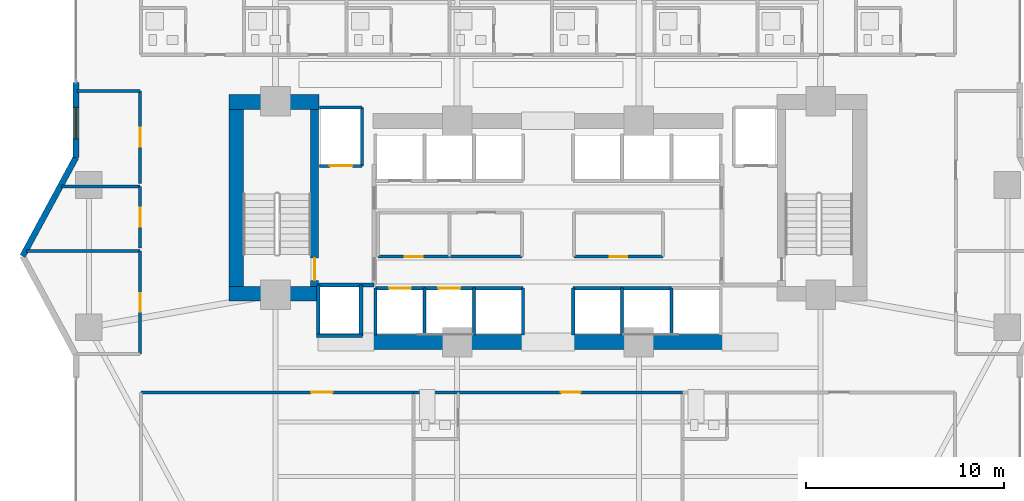
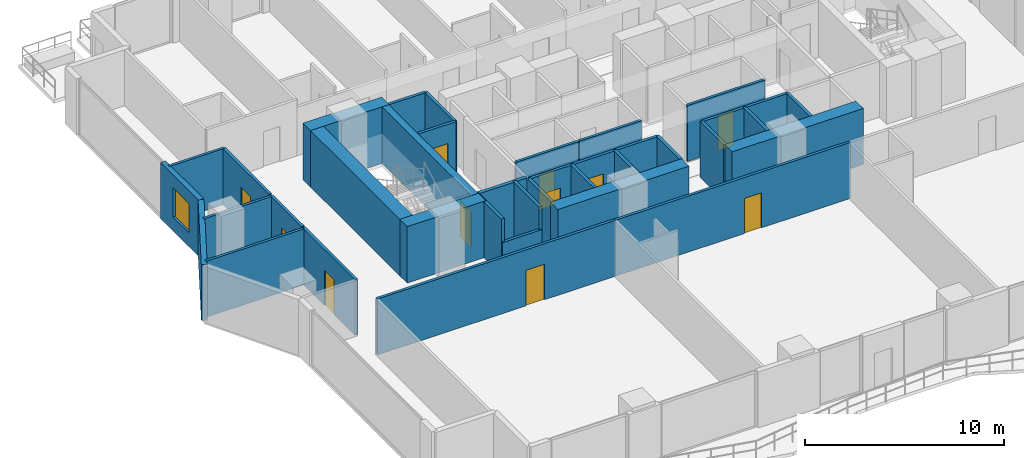
# One storey, part 21 of 28: 38 walls, 11 doors, 1 window, 12 openings.
"""IFC4 building model written with IfcOpenShell, lengths in metres."""

from ifc_helpers import new_model, si_unit, direction, frame, frame_2d, origin, place, context, subcontext, project, spatial, rectangle, extrude, material, layer, layer_set, type_object, element, fill, save


model = new_model("IFC4")

# Units and contexts
model_context = context("Model", 3, precision=1e-05, world=origin(), true_north=direction((0.0, 1.0)))
body_context = subcontext(model_context, "Body", "Model", "MODEL_VIEW")
ifc_project = project(units=[si_unit("LENGTHUNIT", "METRE"), si_unit("AREAUNIT", "SQUARE_METRE"), si_unit("VOLUMEUNIT", "CUBIC_METRE"), si_unit("PLANEANGLEUNIT", "RADIAN"), si_unit("MASSUNIT", "GRAM", prefix="KILO")], contexts=[model_context])

# Site, building, storey
site_placement = place(None, origin())
site = spatial("IfcSite", under=ifc_project, at=site_placement, CompositionType="ELEMENT")
building_placement = place(site_placement, origin())
building = spatial("IfcBuilding", under=site, at=building_placement, Name="Zuhayl Quay Hotel", CompositionType="ELEMENT")
storey_placement = place(building_placement, frame((0.0, 0.0, 110.25)))
storey = spatial("IfcBuildingStorey", under=building, at=storey_placement, Name="L27", CompositionType="ELEMENT", Elevation=110.25)

# Walls
ifc_material_1 = material(Name="Concrete C60/75", Category="concrete")
ifc_layer_1 = layer(ifc_material_1, 0.75, Name="Concrete C60/75", Category="concrete")
ifc_layer_set_1 = layer_set([ifc_layer_1], Name="Concrete C60/75")
wall_type_1 = type_object("IfcWallType", Name="WL_CORE_750", PredefinedType="SHEAR", material=ifc_layer_set_1)
wall_1_placement = place(storey_placement, frame((-16.159912109375, 14.304931640625, 0.0), z_axis=(0.0, 0.0, 1.0), x_axis=(1.0, 0.0, 0.0)))
element("IfcWall", 1, at=wall_1_placement, inside=storey, type_object=wall_type_1, Name="L27 Core Shear Wall CW_NW", PredefinedType="SHEAR", context=body_context, shape_type="SweptSolid", body=[
    extrude(rectangle(XDim=4.559814453125, YDim=0.75, at=frame_2d((2.27978515625, 0.0))), origin(), (0.0, 0.0, 1.0), 3.4599609375),
])
wall_2_placement = place(storey_placement, frame((-15.784912109375, 4.969970703125, 0.0), z_axis=(0.0, 0.0, 1.0), x_axis=(0.0, 1.0, 0.0)))
element("IfcWall", 2, at=wall_2_placement, inside=storey, type_object=wall_type_1, Name="L27 Core Shear Wall CW_W", PredefinedType="SHEAR", context=body_context, shape_type="SweptSolid", body=[
    extrude(rectangle(XDim=8.9599609375, YDim=0.75, at=frame_2d((4.47998046875, 0.0))), origin(), (0.0, 0.0, 1.0), 3.4599609375),
])
wall_3_placement = place(storey_placement, frame((-16.159912109375, 4.594970703125, 0.0), z_axis=(0.0, 0.0, 1.0), x_axis=(1.0, 0.0, 0.0)))
element("IfcWall", 3, at=wall_3_placement, inside=storey, type_object=wall_type_1, Name="L27 Core Shear Wall CW_SW", PredefinedType="SHEAR", context=body_context, shape_type="SweptSolid", body=[
    extrude(rectangle(XDim=4.559814453125, YDim=0.75, at=frame_2d((2.27978515625, 0.0))), origin(), (0.0, 0.0, 1.0), 3.4599609375),
])
for number, where, z_axis, x_axis, name in (
    (4, (-8.85009765625, 2.14990234375, 0.0), (0.0, 0.0, 1.0), (1.0, 0.0, 0.0), "L27 Core Shear Wall CW_SC_W"),
    (5, (1.25, 2.14990234375, 0.0), (0.0, 0.0, 1.0), (1.0, 0.0, 0.0), "L27 Core Shear Wall CW_SC_E"),
):
    element("IfcWall", number, at=place(storey_placement, frame(where, z_axis=z_axis, x_axis=x_axis)), inside=storey, type_object=wall_type_1, Name=name, PredefinedType="SHEAR", context=body_context, shape_type="SweptSolid", body=[
        extrude(rectangle(XDim=7.60009765625, YDim=0.75, at=frame_2d((3.800048828125, 0.0))), origin(), (0.0, 0.0, 1.0), 3.429931640625),
    ])
ifc_material_2 = material(Name="Precast concrete C45/55", Category="concrete")
ifc_layer_2 = layer(ifc_material_2, 0.300048828125, Name="Precast concrete C45/55", Category="concrete")
ifc_layer_set_2 = layer_set([ifc_layer_2], Name="Precast concrete C45/55")
wall_type_2 = type_object("IfcWallType", Name="WL_EXT_300", PredefinedType="STANDARD", material=ifc_layer_set_2)
wall_4_placement = place(storey_placement, frame((-26.60009765625, 6.5, 0.0), z_axis=(0.0, 0.0, 1.0), x_axis=(0.475175525499, 0.879891027325, 0.0)))
element("IfcWall", 6, at=wall_4_placement, inside=storey, type_object=wall_type_2, Name="L27 Exterior Precast Wall ENV_L27_EW04", PredefinedType="STANDARD", context=body_context, shape_type="SweptSolid", body=[
    extrude(rectangle(XDim=5.6826171875, YDim=0.300048828125, at=frame_2d((2.84130859375, 0.0))), origin(), (0.0, 0.0, 1.0), 3.429931640625),
])

# Wall, opening, window
wall_5_placement = place(storey_placement, frame((-23.89990234375, 11.5, 0.0), z_axis=(0.0, 0.0, 1.0), x_axis=(0.0, 1.0, 0.0)))
wall_5 = element("IfcWall", 7, at=wall_5_placement, inside=storey, type_object=wall_type_2, Name="L27 Exterior Precast Wall ENV_L27_E05_EW1", PredefinedType="STANDARD", context=body_context, shape_type="SweptSolid", body=[
    extrude(rectangle(XDim=3.800048828125, YDim=0.300048828125, at=frame_2d((1.89990234375, 0.0))), origin(), (0.0, 0.0, 1.0), 3.429931640625),
])
opening_1_placement = place(wall_5_placement, frame((0.93505859375, 0.0, 0.85009765625)))
opening_1 = element("IfcOpeningElement", 8, at=opening_1_placement, cuts=wall_5, Name="Opening W01", PredefinedType="OPENING", context=body_context, shape_type="SweptSolid", body=[
    extrude(rectangle(XDim=1.60009765625, YDim=1.800048828125, at=frame_2d((0.800048828125, 0.89990234375))), frame((0.0, 0.159912109375, 0.0), z_axis=(0.0, -1.0, 0.0), x_axis=(1.0, 0.0, 0.0)), (0.0, 0.0, 1.0), 0.320068359375),
])
ifc_material_3 = material(Name="Dark Ceramic-Fritted Solar Glass", Category="glass")
window_type = type_object("IfcWindowType", Name="WN_OPERABLE_1600", PartitioningType="DOUBLE_PANEL_VERTICAL", PredefinedType="WINDOW", material=ifc_material_3)
window_placement = place(opening_1_placement, origin())
window = element("IfcWindow", 9, at=window_placement, inside=storey, type_object=window_type, Name="L27 Operable Facade Window 1-1", OverallHeight=1.800048828125, OverallWidth=1.60009765625, PartitioningType="SINGLE_PANEL", PredefinedType="WINDOW", context=body_context, shape_type="SweptSolid", body=[
    extrude(rectangle(XDim=1.60009765625, YDim=1.800048828125, at=frame_2d((0.800048828125, 0.89990234375))), frame((0.0, 0.030029296875, 0.0), z_axis=(0.0, -1.0, 0.0), x_axis=(1.0, 0.0, 0.0)), (0.0, 0.0, 1.0), 0.06005859375),
])
fill(opening_1, window)

# Wall, opening, door
ifc_material_4 = material(Name="Acoustic Gypsum Partition STC-58")
ifc_layer_3 = layer(ifc_material_4, 0.14990234375, Name="Acoustic Gypsum Partition STC-58")
ifc_layer_set_3 = layer_set([ifc_layer_3], Name="Acoustic Gypsum Partition STC-58")
wall_type_3 = type_object("IfcWallType", Name="WL_PART_150", PredefinedType="PARTITIONING", material=ifc_layer_set_3)
wall_6_placement = place(storey_placement, frame((-8.610107421875, 6.47998046875, 0.0), z_axis=(0.0, 0.0, 1.0), x_axis=(1.0, 0.0, 0.0)))
wall_6 = element("IfcWall", 10, at=wall_6_placement, inside=storey, type_object=wall_type_3, Name="L27 Partition IW_L27_CORE_SW_S", PredefinedType="PARTITIONING", context=body_context, shape_type="SweptSolid", body=[
    extrude(rectangle(XDim=3.6201171875, YDim=0.14990234375, at=frame_2d((1.81005859375, 0.0))), origin(), (0.0, 0.0, 1.0), 3.429931640625),
])
opening_2_placement = place(wall_6_placement, frame((1.360107421875, 0.0, 0.0)))
opening_2 = element("IfcOpeningElement", 11, at=opening_2_placement, cuts=wall_6, Name="Opening D06", PredefinedType="OPENING", context=body_context, shape_type="SweptSolid", body=[
    extrude(rectangle(XDim=0.89990234375, YDim=2.14990234375, at=frame_2d((0.449951171875, 1.074951171875))), frame((0.0, 0.0849609375, 0.0), z_axis=(0.0, -1.0, 0.0), x_axis=(1.0, 0.0, 0.0)), (0.0, 0.0, 1.0), 0.169921875),
])
ifc_material_5 = material(Name="Steel ASTM A992 Grade 50", Category="steel")
door_type_1 = type_object("IfcDoorType", Name="DR_INT_900", OperationType="NOTDEFINED", PredefinedType="DOOR", material=ifc_material_5)
door_1_placement = place(opening_2_placement, origin())
door_1 = element("IfcDoor", 12, at=door_1_placement, inside=storey, type_object=door_type_1, Name="L27 Floor Switchgear Closet Door", OperationType="SINGLE_SWING_RIGHT", OverallHeight=2.14990234375, OverallWidth=0.89990234375, PredefinedType="DOOR", context=body_context, shape_type="SweptSolid", body=[
    extrude(rectangle(XDim=0.89990234375, YDim=2.14990234375, at=frame_2d((0.449951171875, 1.074951171875))), frame((0.0, 0.02490234375, 0.0), z_axis=(0.0, -1.0, 0.0), x_axis=(1.0, 0.0, 0.0)), (0.0, 0.0, 1.0), 0.050048828125),
])
fill(opening_2, door_1)

wall_7_placement = place(storey_placement, frame((1.320068359375, 6.47998046875, 0.0), z_axis=(0.0, 0.0, 1.0), x_axis=(1.0, 0.0, 0.0)))
wall_7 = element("IfcWall", 13, at=wall_7_placement, inside=storey, type_object=wall_type_3, Name="L27 Partition IW_L27_CORE_PN_S", PredefinedType="PARTITIONING", context=body_context, shape_type="SweptSolid", body=[
    extrude(rectangle(XDim=4.489990234375, YDim=0.14990234375, at=frame_2d((2.2451171875, 0.0))), origin(), (0.0, 0.0, 1.0), 3.429931640625),
])
opening_3_placement = place(wall_7_placement, frame((1.794921875, 0.0, 0.0)))
opening_3 = element("IfcOpeningElement", 14, at=opening_3_placement, cuts=wall_7, Name="Opening D06", PredefinedType="OPENING", context=body_context, shape_type="SweptSolid", body=[
    extrude(rectangle(XDim=0.89990234375, YDim=2.14990234375, at=frame_2d((0.449951171875, 1.074951171875))), frame((0.0, 0.0849609375, 0.0), z_axis=(0.0, -1.0, 0.0), x_axis=(1.0, 0.0, 0.0)), (0.0, 0.0, 1.0), 0.169921875),
])
door_2_placement = place(opening_3_placement, origin())
door_2 = element("IfcDoor", 15, at=door_2_placement, inside=storey, type_object=door_type_1, Name="L27 Core Ice and Pantry Room Door", OperationType="SINGLE_SWING_RIGHT", OverallHeight=2.14990234375, OverallWidth=0.89990234375, PredefinedType="DOOR", context=body_context, shape_type="SweptSolid", body=[
    extrude(rectangle(XDim=0.89990234375, YDim=2.14990234375, at=frame_2d((0.449951171875, 1.074951171875))), frame((0.0, 0.02490234375, 0.0), z_axis=(0.0, -1.0, 0.0), x_axis=(1.0, 0.0, 0.0)), (0.0, 0.0, 1.0), 0.050048828125),
])
fill(opening_3, door_2)

# Walls
wall_8_placement = place(storey_placement, frame((-4.929931640625, 6.47998046875, 0.0), z_axis=(0.0, 0.0, 1.0), x_axis=(1.0, 0.0, 0.0)))
element("IfcWall", 16, at=wall_8_placement, inside=storey, type_object=wall_type_3, Name="L27 Partition IW_L27_CORE_BM_S", PredefinedType="PARTITIONING", context=body_context, shape_type="SweptSolid", body=[
    extrude(rectangle(XDim=3.60986328125, YDim=0.14990234375, at=frame_2d((1.804931640625, 0.0))), origin(), (0.0, 0.0, 1.0), 3.429931640625),
])
wall_9_placement = place(storey_placement, frame((-26.405029296875, 6.75, 0.0), z_axis=(0.0, 0.0, 1.0), x_axis=(1.0, 0.0, 0.0)))
element("IfcWall", 17, at=wall_9_placement, inside=storey, type_object=wall_type_3, Name="L27 Partition IW_L27_WPROW_1_N", PredefinedType="PARTITIONING", context=body_context, shape_type="SweptSolid", body=[
    extrude(rectangle(XDim=5.755126953125, YDim=0.14990234375, at=frame_2d((2.87744140625, 0.0))), origin(), (0.0, 0.0, 1.0), 3.429931640625),
])
wall_10_placement = place(storey_placement, frame((-24.63916015625, 10.02001953125, 0.0), z_axis=(0.0, 0.0, 1.0), x_axis=(1.0, 0.0, 0.0)))
element("IfcWall", 18, at=wall_10_placement, inside=storey, type_object=wall_type_3, Name="L27 Partition IW_L27_WPROW_2_N", PredefinedType="PARTITIONING", context=body_context, shape_type="SweptSolid", body=[
    extrude(rectangle(XDim=3.9892578125, YDim=0.14990234375, at=frame_2d((1.99462890625, 0.0))), origin(), (0.0, 0.0, 1.0), 3.429931640625),
])
wall_11_placement = place(storey_placement, frame((-23.840087890625, 14.85009765625, 0.0), z_axis=(0.0, 0.0, 1.0), x_axis=(1.0, 0.0, 0.0)))
element("IfcWall", 19, at=wall_11_placement, inside=storey, type_object=wall_type_3, Name="L27 Partition IW_L27_WPROW_3_N", PredefinedType="PARTITIONING", context=body_context, shape_type="SweptSolid", body=[
    extrude(rectangle(XDim=3.190185546875, YDim=0.14990234375, at=frame_2d((1.59521484375, 0.0))), origin(), (0.0, 0.0, 1.0), 3.429931640625),
])

# Wall, opening, door
ifc_layer_4 = layer(ifc_material_4, 0.159912109375, Name="Acoustic Gypsum Partition STC-58")
ifc_layer_set_4 = layer_set([ifc_layer_4], Name="Acoustic Gypsum Partition STC-58")
wall_type_4 = type_object("IfcWallType", Name="WL_PART_CORR_160", PredefinedType="PARTITIONING", material=ifc_layer_set_4)
wall_12_placement = place(storey_placement, frame((-20.60009765625, -0.39990234375, 0.0), z_axis=(0.0, 0.0, 1.0), x_axis=(1.0, 0.0, 0.0)))
wall_12 = element("IfcWall", 20, at=wall_12_placement, inside=storey, type_object=wall_type_4, Name="L27 Partition IW_L27_SSAL_0_N", PredefinedType="PARTITIONING", context=body_context, shape_type="SweptSolid", body=[
    extrude(rectangle(XDim=13.800048828125, YDim=0.159912109375, at=frame_2d((6.89990234375, 0.0))), origin(), (0.0, 0.0, 1.0), 3.429931640625),
])
opening_4_placement = place(wall_12_placement, frame((8.610107421875, 0.0, 0.0)))
opening_4 = element("IfcOpeningElement", 21, at=opening_4_placement, cuts=wall_12, Name="Opening D05A", PredefinedType="OPENING", context=body_context, shape_type="SweptSolid", body=[
    extrude(rectangle(XDim=1.080078125, YDim=2.179931640625, at=frame_2d((0.5400390625, 1.08984375))), frame((0.0, 0.08984375, 0.0), z_axis=(0.0, -1.0, 0.0), x_axis=(1.0, 0.0, 0.0)), (0.0, 0.0, 1.0), 0.179931640625),
])
ifc_material_6 = material(Name="Solid Walnut Acoustic Fire Door")
door_type_2 = type_object("IfcDoorType", Name="DR_INT_1100", OperationType="NOTDEFINED", PredefinedType="DOOR", material=ifc_material_6)
door_3_placement = place(opening_4_placement, origin())
door_3 = element("IfcDoor", 22, at=door_3_placement, inside=storey, type_object=door_type_2, Name="L27 South Sunset Salon L27 Door", OperationType="SINGLE_SWING_LEFT", OverallHeight=2.179931640625, OverallWidth=1.080078125, PredefinedType="DOOR", context=body_context, shape_type="SweptSolid", body=[
    extrude(rectangle(XDim=1.080078125, YDim=2.179931640625, at=frame_2d((0.5400390625, 1.08984375))), frame((0.0, 0.02490234375, 0.0), z_axis=(0.0, -1.0, 0.0), x_axis=(1.0, 0.0, 0.0)), (0.0, 0.0, 1.0), 0.050048828125),
])
fill(opening_4, door_3)

wall_13_placement = place(storey_placement, frame((-6.800048828125, -0.39990234375, 0.0), z_axis=(0.0, 0.0, 1.0), x_axis=(1.0, 0.0, 0.0)))
wall_13 = element("IfcWall", 23, at=wall_13_placement, inside=storey, type_object=wall_type_4, Name="L27 Partition IW_L27_SU02_COR", PredefinedType="PARTITIONING", context=body_context, shape_type="SweptSolid", body=[
    extrude(rectangle(XDim=13.60009765625, YDim=0.159912109375, at=frame_2d((6.800048828125, 0.0))), origin(), (0.0, 0.0, 1.0), 3.429931640625),
])
opening_5_placement = place(wall_13_placement, frame((7.449951171875, 0.0, 0.0)))
opening_5 = element("IfcOpeningElement", 24, at=opening_5_placement, cuts=wall_13, Name="Opening D03L", PredefinedType="OPENING", context=body_context, shape_type="SweptSolid", body=[
    extrude(rectangle(XDim=1.0, YDim=2.14990234375, at=frame_2d((0.5, 1.074951171875))), frame((0.0, 0.08984375, 0.0), z_axis=(0.0, -1.0, 0.0), x_axis=(1.0, 0.0, 0.0)), (0.0, 0.0, 1.0), 0.179931640625),
])
door_type_3 = type_object("IfcDoorType", Name="DR_SUITE_1000", OperationType="NOTDEFINED", PredefinedType="DOOR", material=ifc_material_6)
door_4_placement = place(opening_5_placement, origin())
door_4 = element("IfcDoor", 25, at=door_4_placement, inside=storey, type_object=door_type_3, Name="L27 City-View Junior Suite L27-02 Entrance Door", OperationType="SINGLE_SWING_LEFT", OverallHeight=2.14990234375, OverallWidth=1.0, PredefinedType="DOOR", context=body_context, shape_type="SweptSolid", body=[
    extrude(rectangle(XDim=1.0, YDim=2.14990234375, at=frame_2d((0.5, 1.074951171875))), frame((0.0, 0.02490234375, 0.0), z_axis=(0.0, -1.0, 0.0), x_axis=(1.0, 0.0, 0.0)), (0.0, 0.0, 1.0), 0.050048828125),
])
fill(opening_5, door_4)

wall_14_placement = place(storey_placement, frame((-20.64990234375, 1.550048828125, 0.0), z_axis=(0.0, 0.0, 1.0), x_axis=(0.0, 1.0, 0.0)))
wall_14 = element("IfcWall", 26, at=wall_14_placement, inside=storey, type_object=wall_type_4, Name="L27 Partition IW_L27_WPROW_1_E", PredefinedType="PARTITIONING", context=body_context, shape_type="SweptSolid", body=[
    extrude(rectangle(XDim=5.199951171875, YDim=0.159912109375, at=frame_2d((2.60009765625, 0.0))), origin(), (0.0, 0.0, 1.0), 3.429931640625),
])
opening_6_placement = place(wall_14_placement, frame((2.125, 0.0, 0.0)))
opening_6 = element("IfcOpeningElement", 27, at=opening_6_placement, cuts=wall_14, Name="Opening D03", PredefinedType="OPENING", context=body_context, shape_type="SweptSolid", body=[
    extrude(rectangle(XDim=0.949951171875, YDim=2.14990234375, at=frame_2d((0.47509765625, 1.074951171875))), frame((0.0, 0.08984375, 0.0), z_axis=(0.0, -1.0, 0.0), x_axis=(1.0, 0.0, 0.0)), (0.0, 0.0, 1.0), 0.179931640625),
])
door_type_4 = type_object("IfcDoorType", Name="DR_SUITE_950", OperationType="NOTDEFINED", PredefinedType="DOOR", material=ifc_material_6)
door_5_placement = place(opening_6_placement, origin())
door_5 = element("IfcDoor", 28, at=door_5_placement, inside=storey, type_object=door_type_4, Name="L27 West Prow Office L27 Door", OperationType="SINGLE_SWING_RIGHT", OverallHeight=2.14990234375, OverallWidth=0.949951171875, PredefinedType="DOOR", context=body_context, shape_type="SweptSolid", body=[
    extrude(rectangle(XDim=0.949951171875, YDim=2.14990234375, at=frame_2d((0.47509765625, 1.074951171875))), frame((0.0, 0.02490234375, 0.0), z_axis=(0.0, -1.0, 0.0), x_axis=(1.0, 0.0, 0.0)), (0.0, 0.0, 1.0), 0.050048828125),
])
fill(opening_6, door_5)

wall_15_placement = place(storey_placement, frame((-20.64990234375, 6.909912109375, 0.0), z_axis=(0.0, 0.0, 1.0), x_axis=(0.0, 1.0, 0.0)))
wall_15 = element("IfcWall", 29, at=wall_15_placement, inside=storey, type_object=wall_type_4, Name="L27 Partition IW_L27_WPROW_2_E", PredefinedType="PARTITIONING", context=body_context, shape_type="SweptSolid", body=[
    extrude(rectangle(XDim=3.110107421875, YDim=0.159912109375, at=frame_2d((1.55517578125, 0.0))), origin(), (0.0, 0.0, 1.0), 3.429931640625),
])
opening_7_placement = place(wall_15_placement, frame((1.080078125, 0.0, 0.0)))
opening_7 = element("IfcOpeningElement", 30, at=opening_7_placement, cuts=wall_15, Name="Opening D03", PredefinedType="OPENING", context=body_context, shape_type="SweptSolid", body=[
    extrude(rectangle(XDim=0.949951171875, YDim=2.14990234375, at=frame_2d((0.47509765625, 1.074951171875))), frame((0.0, 0.08984375, 0.0), z_axis=(0.0, -1.0, 0.0), x_axis=(1.0, 0.0, 0.0)), (0.0, 0.0, 1.0), 0.179931640625),
])
door_6_placement = place(opening_7_placement, origin())
door_6 = element("IfcDoor", 31, at=door_6_placement, inside=storey, type_object=door_type_4, Name="L27 Sunset Tea Salon L27 Door", OperationType="SINGLE_SWING_LEFT", OverallHeight=2.14990234375, OverallWidth=0.949951171875, PredefinedType="DOOR", context=body_context, shape_type="SweptSolid", body=[
    extrude(rectangle(XDim=0.949951171875, YDim=2.14990234375, at=frame_2d((0.47509765625, 1.074951171875))), frame((0.0, 0.02490234375, 0.0), z_axis=(0.0, -1.0, 0.0), x_axis=(1.0, 0.0, 0.0)), (0.0, 0.0, 1.0), 0.050048828125),
])
fill(opening_7, door_6)

wall_16_placement = place(storey_placement, frame((-20.64990234375, 10.179931640625, 0.0), z_axis=(0.0, 0.0, 1.0), x_axis=(0.0, 1.0, 0.0)))
wall_16 = element("IfcWall", 32, at=wall_16_placement, inside=storey, type_object=wall_type_4, Name="L27 Partition IW_L27_WPROW_3_E", PredefinedType="PARTITIONING", context=body_context, shape_type="SweptSolid", body=[
    extrude(rectangle(XDim=4.670166015625, YDim=0.159912109375, at=frame_2d((2.3349609375, 0.0))), origin(), (0.0, 0.0, 1.0), 3.429931640625),
])
opening_8_placement = place(wall_16_placement, frame((1.860107421875, 0.0, 0.0)))
opening_8 = element("IfcOpeningElement", 33, at=opening_8_placement, cuts=wall_16, Name="Opening D03", PredefinedType="OPENING", context=body_context, shape_type="SweptSolid", body=[
    extrude(rectangle(XDim=0.949951171875, YDim=2.14990234375, at=frame_2d((0.47509765625, 1.074951171875))), frame((0.0, 0.08984375, 0.0), z_axis=(0.0, -1.0, 0.0), x_axis=(1.0, 0.0, 0.0)), (0.0, 0.0, 1.0), 0.179931640625),
])
door_7_placement = place(opening_8_placement, origin())
door_7 = element("IfcDoor", 34, at=door_7_placement, inside=storey, type_object=door_type_4, Name="L27 West Horizon Salon L27 Door", OperationType="SINGLE_SWING_RIGHT", OverallHeight=2.14990234375, OverallWidth=0.949951171875, PredefinedType="DOOR", context=body_context, shape_type="SweptSolid", body=[
    extrude(rectangle(XDim=0.949951171875, YDim=2.14990234375, at=frame_2d((0.47509765625, 1.074951171875))), frame((0.0, 0.02490234375, 0.0), z_axis=(0.0, -1.0, 0.0), x_axis=(1.0, 0.0, 0.0)), (0.0, 0.0, 1.0), 0.050048828125),
])
fill(opening_8, door_7)

ifc_material_7 = material(Name="Gypsum Fireboard Assembly EI-90")
ifc_layer_5 = layer(ifc_material_7, 0.1650390625, Name="Gypsum Fireboard Assembly EI-90")
ifc_layer_set_5 = layer_set([ifc_layer_5], Name="Gypsum Fireboard Assembly EI-90")
wall_type_5 = type_object("IfcWallType", Name="WL_PART_SHAFT_160", PredefinedType="PARTITIONING", material=ifc_layer_set_5)
wall_17_placement = place(storey_placement, frame((-11.580078125, 11.070068359375, 0.0), z_axis=(0.0, 0.0, 1.0), x_axis=(1.0, 0.0, 0.0)))
wall_17 = element("IfcWall", 35, at=wall_17_placement, inside=storey, type_object=wall_type_5, Name="L27 Partition IW_L27_SH_FL1_F", PredefinedType="PARTITIONING", context=body_context, shape_type="SweptSolid", body=[
    extrude(rectangle(XDim=2.16015625, YDim=0.1650390625, at=frame_2d((1.080078125, 0.0))), origin(), (0.0, 0.0, 1.0), 3.429931640625),
])
opening_9_placement = place(wall_17_placement, frame((0.530029296875, 0.0, 0.0)))
opening_9 = element("IfcOpeningElement", 36, at=opening_9_placement, cuts=wall_17, Name="Opening LD2", PredefinedType="OPENING", context=body_context, shape_type="SweptSolid", body=[
    extrude(rectangle(XDim=1.14990234375, YDim=2.25, at=frame_2d((0.574951171875, 1.125))), frame((0.0, 0.092529296875, 0.0), z_axis=(0.0, -1.0, 0.0), x_axis=(1.0, 0.0, 0.0)), (0.0, 0.0, 1.0), 0.18505859375),
])
ifc_material_8 = material(Name="Brushed Stainless Steel", Category="steel")
door_type_5 = type_object("IfcDoorType", Name="DR_LIFT_FF_1100", OperationType="SLIDING_TO_LEFT", PredefinedType="DOOR", material=ifc_material_8)
door_8_placement = place(opening_9_placement, origin())
door_8 = element("IfcDoor", 37, at=door_8_placement, inside=storey, type_object=door_type_5, Name="L27 Lift FL1 Sliding Landing Door", OperationType="SLIDING_TO_LEFT", OverallHeight=2.25, OverallWidth=1.14990234375, PredefinedType="DOOR", context=body_context, shape_type="SweptSolid", body=[
    extrude(rectangle(XDim=1.14990234375, YDim=2.25, at=frame_2d((0.574951171875, 1.125))), frame((0.0, 0.02490234375, 0.0), z_axis=(0.0, -1.0, 0.0), x_axis=(1.0, 0.0, 0.0)), (0.0, 0.0, 1.0), 0.050048828125),
])
fill(opening_9, door_8)

wall_18_placement = place(storey_placement, frame((-8.72998046875, 4.8798828125, 0.0), z_axis=(0.0, 0.0, 1.0), x_axis=(1.0, 0.0, 0.0)))
wall_18 = element("IfcWall", 38, at=wall_18_placement, inside=storey, type_object=wall_type_5, Name="L27 Partition IW_L27_SH_LP1_F", PredefinedType="PARTITIONING", context=body_context, shape_type="SweptSolid", body=[
    extrude(rectangle(XDim=2.47998046875, YDim=0.1650390625, at=frame_2d((1.239990234375, 0.0))), origin(), (0.0, 0.0, 1.0), 3.429931640625),
])
opening_10_placement = place(wall_18_placement, frame((0.68994140625, 0.0, 0.0)))
opening_10 = element("IfcOpeningElement", 39, at=opening_10_placement, cuts=wall_18, Name="Opening LD1", PredefinedType="OPENING", context=body_context, shape_type="SweptSolid", body=[
    extrude(rectangle(XDim=1.10009765625, YDim=2.25, at=frame_2d((0.550048828125, 1.125))), frame((0.0, 0.092529296875, 0.0), z_axis=(0.0, -1.0, 0.0), x_axis=(1.0, 0.0, 0.0)), (0.0, 0.0, 1.0), 0.18505859375),
])
door_type_6 = type_object("IfcDoorType", Name="DR_LIFT_PASS_1100", OperationType="SLIDING_TO_LEFT", PredefinedType="DOOR", material=ifc_material_8)
door_9_placement = place(opening_10_placement, origin())
door_9 = element("IfcDoor", 40, at=door_9_placement, inside=storey, type_object=door_type_6, Name="L27 Lift LP1 Sliding Landing Door", OperationType="SLIDING_TO_LEFT", OverallHeight=2.25, OverallWidth=1.10009765625, PredefinedType="DOOR", context=body_context, shape_type="SweptSolid", body=[
    extrude(rectangle(XDim=1.10009765625, YDim=2.25, at=frame_2d((0.550048828125, 1.125))), frame((0.0, 0.02490234375, 0.0), z_axis=(0.0, -1.0, 0.0), x_axis=(1.0, 0.0, 0.0)), (0.0, 0.0, 1.0), 0.050048828125),
])
fill(opening_10, door_9)

wall_19_placement = place(storey_placement, frame((-6.25, 4.8798828125, 0.0), z_axis=(0.0, 0.0, 1.0), x_axis=(1.0, 0.0, 0.0)))
wall_19 = element("IfcWall", 41, at=wall_19_placement, inside=storey, type_object=wall_type_5, Name="L27 Partition IW_L27_SH_LP2_F", PredefinedType="PARTITIONING", context=body_context, shape_type="SweptSolid", body=[
    extrude(rectangle(XDim=2.5, YDim=0.1650390625, at=frame_2d((1.25, 0.0))), origin(), (0.0, 0.0, 1.0), 3.429931640625),
])
opening_11_placement = place(wall_19_placement, frame((0.699951171875, 0.0, 0.0)))
opening_11 = element("IfcOpeningElement", 42, at=opening_11_placement, cuts=wall_19, Name="Opening LD1", PredefinedType="OPENING", context=body_context, shape_type="SweptSolid", body=[
    extrude(rectangle(XDim=1.10009765625, YDim=2.25, at=frame_2d((0.550048828125, 1.125))), frame((0.0, 0.092529296875, 0.0), z_axis=(0.0, -1.0, 0.0), x_axis=(1.0, 0.0, 0.0)), (0.0, 0.0, 1.0), 0.18505859375),
])
door_10_placement = place(opening_11_placement, origin())
door_10 = element("IfcDoor", 43, at=door_10_placement, inside=storey, type_object=door_type_6, Name="L27 Lift LP2 Sliding Landing Door", OperationType="SLIDING_TO_LEFT", OverallHeight=2.25, OverallWidth=1.10009765625, PredefinedType="DOOR", context=body_context, shape_type="SweptSolid", body=[
    extrude(rectangle(XDim=1.10009765625, YDim=2.25, at=frame_2d((0.550048828125, 1.125))), frame((0.0, 0.02490234375, 0.0), z_axis=(0.0, -1.0, 0.0), x_axis=(1.0, 0.0, 0.0)), (0.0, 0.0, 1.0), 0.050048828125),
])
fill(opening_11, door_10)

# Walls
wall_20_placement = place(storey_placement, frame((-9.419921875, 11.070068359375, 0.0), z_axis=(0.0, 0.0, 1.0), x_axis=(0.0, 1.0, 0.0)))
element("IfcWall", 44, at=wall_20_placement, inside=storey, type_object=wall_type_5, Name="L27 Partition IW_L27_SH_FL1_E", PredefinedType="PARTITIONING", context=body_context, shape_type="SweptSolid", body=[
    extrude(rectangle(XDim=2.9599609375, YDim=0.1650390625, at=frame_2d((1.47998046875, 0.0))), origin(), (0.0, 0.0, 1.0), 3.429931640625),
])
wall_21_placement = place(storey_placement, frame((-11.580078125, 14.030029296875, 0.0), z_axis=(0.0, 0.0, 1.0), x_axis=(1.0, 0.0, 0.0)))
element("IfcWall", 45, at=wall_21_placement, inside=storey, type_object=wall_type_5, Name="L27 Partition IW_L27_SH_FL1_B", PredefinedType="PARTITIONING", context=body_context, shape_type="SweptSolid", body=[
    extrude(rectangle(XDim=2.16015625, YDim=0.1650390625, at=frame_2d((1.080078125, 0.0))), origin(), (0.0, 0.0, 1.0), 3.429931640625),
])
for number, where, z_axis, x_axis, name in (
    (46, (-8.72998046875, 2.52001953125, 0.0), (0.0, 0.0, 1.0), (0.0, 1.0, 0.0), "L27 Partition IW_L27_SH_LP1_W"),
    (47, (-6.25, 2.52001953125, 0.0), (0.0, 0.0, 1.0), (0.0, 1.0, 0.0), "L27 Partition IW_L27_SH_LP1_E"),
    (48, (-3.75, 2.52001953125, 0.0), (0.0, 0.0, 1.0), (0.0, 1.0, 0.0), "L27 Partition IW_L27_SH_LP2_E"),
):
    element("IfcWall", number, at=place(storey_placement, frame(where, z_axis=z_axis, x_axis=x_axis)), inside=storey, type_object=wall_type_5, Name=name, PredefinedType="PARTITIONING", context=body_context, shape_type="SweptSolid", body=[
        extrude(rectangle(XDim=2.35986328125, YDim=0.1650390625, at=frame_2d((1.179931640625, 0.0))), origin(), (0.0, 0.0, 1.0), 3.429931640625),
    ])
wall_22_placement = place(storey_placement, frame((-3.75, 4.8798828125, 0.0), z_axis=(0.0, 0.0, 1.0), x_axis=(1.0, 0.0, 0.0)))
element("IfcWall", 49, at=wall_22_placement, inside=storey, type_object=wall_type_5, Name="L27 Partition IW_L27_SH_MP1_F", PredefinedType="PARTITIONING", context=body_context, shape_type="SweptSolid", body=[
    extrude(rectangle(XDim=2.47998046875, YDim=0.1650390625, at=frame_2d((1.239990234375, 0.0))), origin(), (0.0, 0.0, 1.0), 3.429931640625),
])
wall_23_placement = place(storey_placement, frame((-1.27001953125, 2.52001953125, 0.0), z_axis=(0.0, 0.0, 1.0), x_axis=(0.0, 1.0, 0.0)))
element("IfcWall", 50, at=wall_23_placement, inside=storey, type_object=wall_type_5, Name="L27 Partition IW_L27_SH_MP1_E", PredefinedType="PARTITIONING", context=body_context, shape_type="SweptSolid", body=[
    extrude(rectangle(XDim=2.35986328125, YDim=0.1650390625, at=frame_2d((1.179931640625, 0.0))), origin(), (0.0, 0.0, 1.0), 3.429931640625),
])
wall_24_placement = place(storey_placement, frame((1.27001953125, 4.8798828125, 0.0), z_axis=(0.0, 0.0, 1.0), x_axis=(1.0, 0.0, 0.0)))
element("IfcWall", 51, at=wall_24_placement, inside=storey, type_object=wall_type_5, Name="L27 Partition IW_L27_SH_MP2_F", PredefinedType="PARTITIONING", context=body_context, shape_type="SweptSolid", body=[
    extrude(rectangle(XDim=2.47998046875, YDim=0.1650390625, at=frame_2d((1.239990234375, 0.0))), origin(), (0.0, 0.0, 1.0), 3.429931640625),
])
for number, where, z_axis, x_axis, name in (
    (52, (1.27001953125, 2.52001953125, 0.0), (0.0, 0.0, 1.0), (0.0, 1.0, 0.0), "L27 Partition IW_L27_SH_MP2_W"),
    (53, (3.75, 2.52001953125, 0.0), (0.0, 0.0, 1.0), (0.0, 1.0, 0.0), "L27 Partition IW_L27_SH_MP2_E"),
):
    element("IfcWall", number, at=place(storey_placement, frame(where, z_axis=z_axis, x_axis=x_axis)), inside=storey, type_object=wall_type_5, Name=name, PredefinedType="PARTITIONING", context=body_context, shape_type="SweptSolid", body=[
        extrude(rectangle(XDim=2.35986328125, YDim=0.1650390625, at=frame_2d((1.179931640625, 0.0))), origin(), (0.0, 0.0, 1.0), 3.429931640625),
    ])
wall_25_placement = place(storey_placement, frame((3.75, 4.8798828125, 0.0), z_axis=(0.0, 0.0, 1.0), x_axis=(1.0, 0.0, 0.0)))
element("IfcWall", 54, at=wall_25_placement, inside=storey, type_object=wall_type_5, Name="L27 Partition IW_L27_SH_HP1_F", PredefinedType="PARTITIONING", context=body_context, shape_type="SweptSolid", body=[
    extrude(rectangle(XDim=2.5, YDim=0.1650390625, at=frame_2d((1.25, 0.0))), origin(), (0.0, 0.0, 1.0), 3.429931640625),
])
wall_26_placement = place(storey_placement, frame((6.25, 2.52001953125, 0.0), z_axis=(0.0, 0.0, 1.0), x_axis=(0.0, 1.0, 0.0)))
element("IfcWall", 55, at=wall_26_placement, inside=storey, type_object=wall_type_5, Name="L27 Partition IW_L27_SH_HP1_E", PredefinedType="PARTITIONING", context=body_context, shape_type="SweptSolid", body=[
    extrude(rectangle(XDim=2.35986328125, YDim=0.1650390625, at=frame_2d((1.179931640625, 0.0))), origin(), (0.0, 0.0, 1.0), 3.429931640625),
])
wall_27_placement = place(storey_placement, frame((-11.6298828125, 2.469970703125, 0.0), z_axis=(0.0, 0.0, 1.0), x_axis=(0.0, 1.0, 0.0)))
element("IfcWall", 56, at=wall_27_placement, inside=storey, type_object=wall_type_5, Name="L27 Partition IW_L27_RISER_W", PredefinedType="PARTITIONING", context=body_context, shape_type="SweptSolid", body=[
    extrude(rectangle(XDim=2.580078125, YDim=0.1650390625, at=frame_2d((1.2900390625, 0.0))), origin(), (0.0, 0.0, 1.0), 3.429931640625),
])
wall_28_placement = place(storey_placement, frame((-11.7099609375, 2.469970703125, 0.0), z_axis=(0.0, 0.0, 1.0), x_axis=(1.0, 0.0, 0.0)))
element("IfcWall", 57, at=wall_28_placement, inside=storey, type_object=wall_type_5, Name="L27 Partition IW_L27_RISER_S", PredefinedType="PARTITIONING", context=body_context, shape_type="SweptSolid", body=[
    extrude(rectangle(XDim=2.31005859375, YDim=0.1650390625, at=frame_2d((1.155029296875, 0.0))), origin(), (0.0, 0.0, 1.0), 2.030029296875),
])
ifc_layer_6 = layer(ifc_material_7, 0.179931640625, Name="Gypsum Fireboard Assembly EI-90")
ifc_layer_set_6 = layer_set([ifc_layer_6], Name="Gypsum Fireboard Assembly EI-90")
wall_type_6 = type_object("IfcWallType", Name="WL_PART_SHAFT_180", PredefinedType="PARTITIONING", material=ifc_layer_set_6)
wall_29_placement = place(storey_placement, frame((-9.469970703125, 2.449951171875, 0.0), z_axis=(0.0, 0.0, 1.0), x_axis=(0.0, 1.0, 0.0)))
element("IfcWall", 58, at=wall_29_placement, inside=storey, type_object=wall_type_6, Name="L27 Partition IW_L27_RISER_E", PredefinedType="PARTITIONING", context=body_context, shape_type="SweptSolid", body=[
    extrude(rectangle(XDim=2.60009765625, YDim=0.179931640625, at=frame_2d((1.300048828125, 0.0))), origin(), (0.0, 0.0, 1.0), 3.429931640625),
])
ifc_material_9 = material(Name="Gypsum Fireboard Assembly EI-120")
ifc_layer_7 = layer(ifc_material_9, 0.199951171875, Name="Gypsum Fireboard Assembly EI-120")
ifc_layer_set_7 = layer_set([ifc_layer_7], Name="Gypsum Fireboard Assembly EI-120")
wall_type_7 = type_object("IfcWallType", Name="WL_PART_SHAFT_200", PredefinedType="PARTITIONING", material=ifc_layer_set_7)
wall_30_placement = place(storey_placement, frame((-11.64990234375, 5.050048828125, 0.0), z_axis=(0.0, 0.0, 1.0), x_axis=(1.0, 0.0, 0.0)))
element("IfcWall", 59, at=wall_30_placement, inside=storey, type_object=wall_type_7, Name="L27 Partition IW_L27_FSAE_W_S", PredefinedType="PARTITIONING", context=body_context, shape_type="SweptSolid", body=[
    extrude(rectangle(XDim=2.849853515625, YDim=0.199951171875, at=frame_2d((1.4248046875, 0.0))), origin(), (0.0, 0.0, 1.0), 3.429931640625),
])

# Wall, opening, door
ifc_layer_8 = layer(ifc_material_1, 0.39990234375, Name="Concrete C60/75", Category="concrete")
ifc_layer_set_8 = layer_set([ifc_layer_8], Name="Concrete C60/75")
wall_type_8 = type_object("IfcWallType", Name="WL_STAIR_400", PredefinedType="SHEAR", material=ifc_layer_set_8)
wall_31_placement = place(storey_placement, frame((-11.820068359375, 4.969970703125, 0.0), z_axis=(0.0, 0.0, 1.0), x_axis=(0.0, 1.0, 0.0)))
wall_31 = element("IfcWall", 60, at=wall_31_placement, inside=storey, type_object=wall_type_8, Name="L27 Core Shear Wall SW_ST1", PredefinedType="SHEAR", context=body_context, shape_type="SweptSolid", body=[
    extrude(rectangle(XDim=8.9599609375, YDim=0.39990234375, at=frame_2d((4.47998046875, 0.0))), origin(), (0.0, 0.0, 1.0), 3.4599609375),
])
opening_12_placement = place(wall_31_placement, frame((0.31005859375, 0.0, 0.0)))
opening_12 = element("IfcOpeningElement", 61, at=opening_12_placement, cuts=wall_31, Name="Opening D01", PredefinedType="OPENING", context=body_context, shape_type="SweptSolid", body=[
    extrude(rectangle(XDim=1.1201171875, YDim=2.219970703125, at=frame_2d((0.56005859375, 1.10986328125))), frame((0.0, 0.2099609375, 0.0), z_axis=(0.0, -1.0, 0.0), x_axis=(1.0, 0.0, 0.0)), (0.0, 0.0, 1.0), 0.419921875),
])
door_type_7 = type_object("IfcDoorType", Name="DR_STAIR_90_1100", OperationType="NOTDEFINED", PredefinedType="DOOR", material=ifc_material_5)
door_11_placement = place(opening_12_placement, origin())
door_11 = element("IfcDoor", 62, at=door_11_placement, inside=storey, type_object=door_type_7, Name="L27 Smokeproof Exit Stair ST1 Door", OperationType="SINGLE_SWING_LEFT", OverallHeight=2.219970703125, OverallWidth=1.1201171875, PredefinedType="DOOR", context=body_context, shape_type="SweptSolid", body=[
    extrude(rectangle(XDim=1.1201171875, YDim=2.219970703125, at=frame_2d((0.56005859375, 1.10986328125))), frame((0.0, 0.02490234375, 0.0), z_axis=(0.0, -1.0, 0.0), x_axis=(1.0, 0.0, 0.0)), (0.0, 0.0, 1.0), 0.050048828125),
])
fill(opening_12, door_11)

save(model, "model.ifc")
